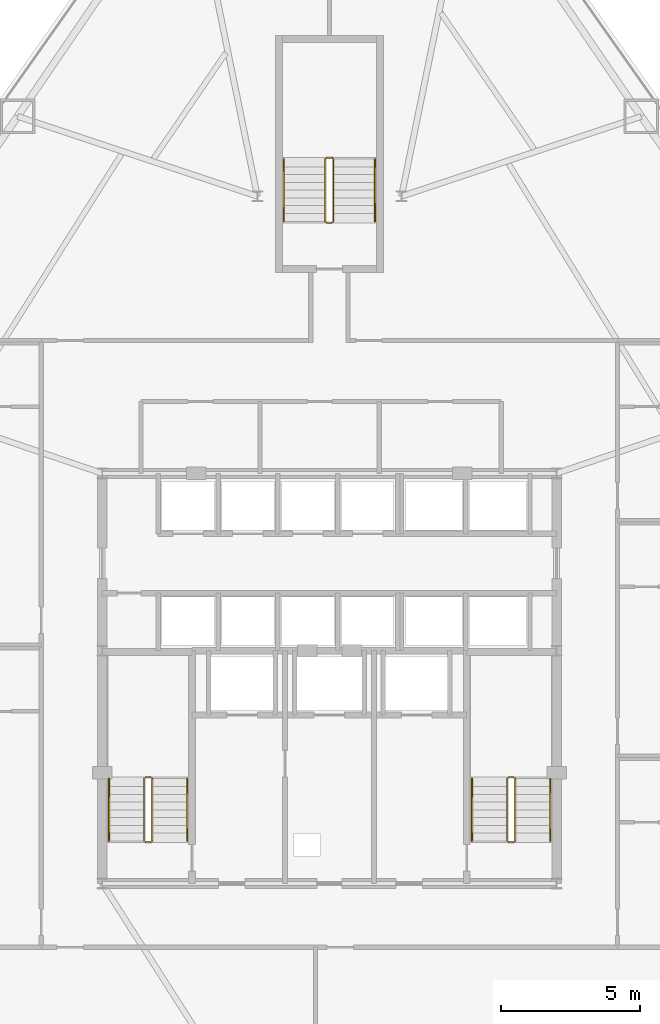
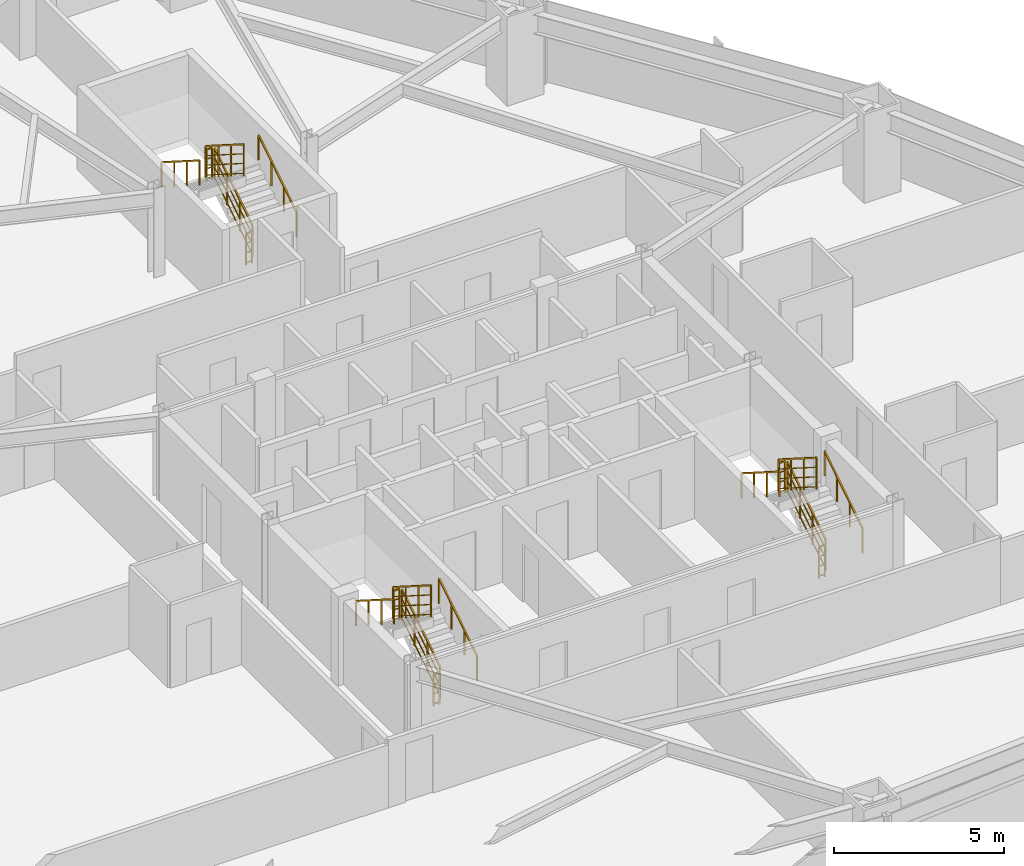
# One storey, part 12 of 12: 18 railings.
"""IFC4 building model written with IfcOpenShell, lengths in metres."""

import ifcopenshell
import ifcopenshell.guid

model = None  # the IFC model being written
_history = None  # IfcOwnerHistory: only IFC2X3 demands one
_inside = {}  # id of a spatial element -> (the spatial element, [elements in it])
_under = {}  # id of a project, library or spatial element -> (it, [spatial elements below it])
_declared = {}  # id of a project -> (the project, [libraries it declares])
_typed = {}  # id of a type object -> (the type object, [elements of that type])
_made_of = {}  # id of a material, layer set ... -> (it, [elements and type objects made of it])


def new_model(schema):
    """Start an empty IFC model of exactly this schema.

    Asked for "IFC4X3", IfcOpenShell would pick the latest addendum, in which some entities
    have other attributes; the version numbers below select the first issue.
    IFC2X3 requires an IfcOwnerHistory on every rooted entity: one is made here for all.
    """
    global model, _history
    if schema == "IFC4X3":
        model = ifcopenshell.file(schema_version=(4, 3, 0, 0))
    else:
        model = ifcopenshell.file(schema=schema)
    _inside.clear()
    _under.clear()
    _declared.clear()
    _typed.clear()
    _made_of.clear()
    _history = None
    if model.schema == "IFC2X3":
        org = make("IfcOrganization", Name="unknown")
        user = make(
            "IfcPersonAndOrganization",
            ThePerson=make("IfcPerson", FamilyName="unknown"),
            TheOrganization=org,
        )
        app = make(
            "IfcApplication",
            ApplicationDeveloper=org,
            Version="unknown",
            ApplicationFullName="unknown",
            ApplicationIdentifier="unknown",
        )
        _history = make(
            "IfcOwnerHistory",
            OwningUser=user,
            OwningApplication=app,
            ChangeAction="ADDED",
            CreationDate=0,
        )
    return model


def make(cls, **values):
    """One entity of the class cls with the attributes given. An attribute that is None is left unset."""
    return model.create_entity(
        cls, **{name: value for name, value in values.items() if value is not None}
    )


def rooted(cls, **values):
    """An entity with a GlobalId (a new one), such as an element, a storey or a relation."""
    return make(cls, GlobalId=ifcopenshell.guid.new(), OwnerHistory=_history, **values)


def si_unit(unit_type, name, prefix=None):
    """IfcSIUnit, for example si_unit("LENGTHUNIT", "METRE", prefix="MILLI")."""
    return make("IfcSIUnit", UnitType=unit_type, Prefix=prefix, Name=name)


def assignment(units):
    """IfcUnitAssignment: the units of a project."""
    return None if units is None else make("IfcUnitAssignment", Units=units)


def point(xyz):
    """IfcCartesianPoint."""
    return None if xyz is None else make("IfcCartesianPoint", Coordinates=xyz)


def direction(xyz):
    """IfcDirection."""
    return None if xyz is None else make("IfcDirection", DirectionRatios=xyz)


def frame(location, z_axis=None, x_axis=None):
    """IfcAxis2Placement3D, a coordinate frame: its origin and axes. An axis left out is left unset."""
    return make(
        "IfcAxis2Placement3D",
        Location=point(location),
        Axis=direction(z_axis),
        RefDirection=direction(x_axis),
    )


def frame_2d(location, x_axis=None):
    """IfcAxis2Placement2D, a coordinate frame in the plane: its origin and x axis."""
    return make(
        "IfcAxis2Placement2D", Location=point(location), RefDirection=direction(x_axis)
    )


def origin():
    """The frame at (0, 0, 0) with its axes left unset."""
    return frame((0.0, 0.0, 0.0))


def origin_2d():
    """The frame at (0, 0) in the plane with its x axis left unset."""
    return frame_2d((0.0, 0.0))


def place(relative_to, where):
    """IfcLocalPlacement: puts the frame where relative to a parent placement (None: the world)."""
    return make(
        "IfcLocalPlacement", PlacementRelTo=relative_to, RelativePlacement=where
    )


def context(
    kind, dimensions, precision=None, world=None, true_north=None, identifier=None
):
    """IfcGeometricRepresentationContext, for example the 3D "Model" context."""
    return make(
        "IfcGeometricRepresentationContext",
        ContextIdentifier=identifier,
        ContextType=kind,
        CoordinateSpaceDimension=dimensions,
        Precision=precision,
        WorldCoordinateSystem=world,
        TrueNorth=true_north,
    )


def subcontext(parent, identifier, kind, view, scale=None):
    """IfcGeometricRepresentationSubContext, for example "Body" below "Model"."""
    return make(
        "IfcGeometricRepresentationSubContext",
        ContextIdentifier=identifier,
        ContextType=kind,
        ParentContext=parent,
        TargetScale=scale,
        TargetView=view,
    )


def project(units=None, contexts=None):
    """IfcProject with its units and contexts."""
    return rooted(
        "IfcProject",
        Name="project",
        RepresentationContexts=contexts,
        UnitsInContext=assignment(units),
    )


def spatial(cls, under=None, at=None, **own):
    """A site, building, storey or space (cls), placed at a placement, below another one or the project."""
    s = rooted(cls, ObjectPlacement=at, **own)
    if under is not None:
        _under.setdefault(under.id(), (under, []))[1].append(s)
    return s


def profile(cls, at=None, kind="AREA", **sizes):
    """A parametric profile (cls). Its sizes go by their IFC names, for example OverallWidth=200.0."""
    return make(cls, ProfileType=kind, Position=at, **sizes)


def rectangle(**sizes):
    """IfcRectangleProfileDef."""
    return profile("IfcRectangleProfileDef", **sizes)


def extrude(swept, where, along, depth):
    """IfcExtrudedAreaSolid: the profile swept, set in the frame where, extruded along a direction by depth."""
    return make(
        "IfcExtrudedAreaSolid",
        SweptArea=swept,
        Position=where,
        ExtrudedDirection=direction(along),
        Depth=depth,
    )


def shape(context_of_items, identifier, shape_type, items):
    """IfcShapeRepresentation: the items that make up one representation, for example the "Body"."""
    return make(
        "IfcShapeRepresentation",
        ContextOfItems=context_of_items,
        RepresentationIdentifier=identifier,
        RepresentationType=shape_type,
        Items=items,
    )


def material(Name=None, Category=None):
    """IfcMaterial."""
    return make("IfcMaterial", Name=Name, Category=Category)


def made_of(thing, what):
    """Note that an element or type object is made of a material, layer set ...; save() writes the relation."""
    if what is not None:
        _made_of.setdefault(what.id(), (what, []))[1].append(thing)
    return thing


def type_object(cls, material=None, **own):
    """A type object (cls), such as IfcWallType, which elements share."""
    return made_of(rooted(cls, **own), material)


def element(
    cls,
    number,
    at=None,
    inside=None,
    cuts=None,
    type_object=None,
    material=None,
    context=None,
    identifier="Body",
    shape_type=None,
    held_by="IfcProductDefinitionShape",
    body=None,
    shapes=None,
    **own,
):
    """One element of the class cls, such as IfcWall. Its Tag is "e" and its number.

    at: its placement. inside: the storey or other place that contains it. cuts: it is an
    opening in that element (IfcRelVoidsElement). A single representation is given by context,
    identifier, shape_type and body (its items); several are given by shapes. held_by: the class
    of the entity that holds the representations. save() writes the other relations.
    """
    e = rooted(cls, Tag="e%d" % number, ObjectPlacement=at, **own)
    if body is not None:
        shapes = [shape(context, identifier, shape_type, body)]
    if shapes is not None:
        e.Representation = make(held_by, Representations=shapes)
    if inside is not None:
        _inside.setdefault(inside.id(), (inside, []))[1].append(e)
    if cuts is not None:
        rooted(
            "IfcRelVoidsElement", RelatingBuildingElement=cuts, RelatedOpeningElement=e
        )
    if type_object is not None:
        _typed.setdefault(type_object.id(), (type_object, []))[1].append(e)
    return made_of(e, material)


def aggregate(whole, parts):
    """IfcRelAggregates: a whole, such as a stair, and the parts it consists of."""
    return rooted("IfcRelAggregates", RelatingObject=whole, RelatedObjects=parts)


def save(model, path):
    """Write the relations noted so far, then the file.

    IfcRelAggregates (storeys below a building ...), IfcRelContainedInSpatialStructure (elements
    in a storey), IfcRelDefinesByType, IfcRelAssociatesMaterial and IfcRelDeclares: one each for
    every whole, place, type object, material and project.
    """
    for whole, parts in _under.values():
        aggregate(whole, parts)
    for where, things in _inside.values():
        rooted(
            "IfcRelContainedInSpatialStructure",
            RelatedElements=things,
            RelatingStructure=where,
        )
    for kind, things in _typed.values():
        rooted("IfcRelDefinesByType", RelatedObjects=things, RelatingType=kind)
    for what, things in _made_of.values():
        rooted("IfcRelAssociatesMaterial", RelatedObjects=things, RelatingMaterial=what)
    for by, libraries in _declared.values():
        rooted("IfcRelDeclares", RelatingContext=by, RelatedDefinitions=libraries)
    model.write(path)


model = new_model("IFC4")

# Units and contexts
model_context = context("Model", 3, precision=1e-05, world=origin(), true_north=direction((0.0, 1.0)))
body_context = subcontext(model_context, "Body", "Model", "MODEL_VIEW")
ifc_project = project(units=[si_unit("LENGTHUNIT", "METRE"), si_unit("AREAUNIT", "SQUARE_METRE"), si_unit("VOLUMEUNIT", "CUBIC_METRE"), si_unit("PLANEANGLEUNIT", "RADIAN"), si_unit("MASSUNIT", "GRAM", prefix="KILO")], contexts=[model_context])

# Site, building, storey
site_placement = place(None, origin())
site = spatial("IfcSite", under=ifc_project, at=site_placement, CompositionType="ELEMENT")
building_placement = place(site_placement, origin())
building = spatial("IfcBuilding", under=site, at=building_placement, Name="Varakhsha Concourse Tower", CompositionType="ELEMENT")
storey_placement = place(building_placement, frame((0.0, 0.0, 40.0)))
storey = spatial("IfcBuildingStorey", under=building, at=storey_placement, Name="L10", CompositionType="ELEMENT", Elevation=40.0)

# Railings
ifc_material = material(Name="Brushed Austenitic Stainless Steel AISI 316", Category="steel")
railing_type_1 = type_object("IfcRailingType", Name="RL-STAIR-GUARD-1100", PredefinedType="GUARDRAIL", material=ifc_material)
railing_1_placement = place(storey_placement, frame((33.610107421875, 17.93994140625, 0.177734375)))
element("IfcRailing", 1, at=railing_1_placement, inside=storey, type_object=railing_type_1, Name="L10 ST1 stair guard 1", PredefinedType="GUARDRAIL", context=body_context, shape_type="SweptSolid", body=[
    extrude(rectangle(XDim=0.048095703125, YDim=0.048095703125, at=origin_2d()), frame((0.0, 0.0, 1.1259765625), z_axis=(0.0, 0.84418770128, 0.536047689118), x_axis=(-1.0, 0.0, 0.0)), (0.0, 0.0, 1.0), 2.6533203125),
    extrude(rectangle(XDim=0.028076171875, YDim=0.028076171875, at=origin_2d()), frame((0.0, 0.0, 0.080078125), z_axis=(0.0, 0.84418770128, 0.536047689118), x_axis=(-1.0, 0.0, 0.0)), (0.0, 0.0, 1.0), 2.6533203125),
    extrude(rectangle(XDim=0.028076171875, YDim=0.028076171875, at=origin_2d()), frame((0.0, 0.0, 0.43701171875), z_axis=(0.0, 0.84418770128, 0.536047689118), x_axis=(-1.0, 0.0, 0.0)), (0.0, 0.0, 1.0), 2.6533203125),
    extrude(rectangle(XDim=0.028076171875, YDim=0.028076171875, at=origin_2d()), frame((0.0, 0.0, 0.781982421875), z_axis=(0.0, 0.84418770128, 0.536047689118), x_axis=(-1.0, 0.0, 0.0)), (0.0, 0.0, 1.0), 2.6533203125),
    extrude(rectangle(XDim=0.0419921875, YDim=0.0419921875, at=origin_2d()), origin(), (0.0, 0.0, 1.0), 1.101806640625),
    extrude(rectangle(XDim=0.0419921875, YDim=0.0419921875, at=origin_2d()), frame((0.0, 0.74658203125, 0.47412109375)), (0.0, 0.0, 1.0), 1.101806640625),
    extrude(rectangle(XDim=0.0419921875, YDim=0.0419921875, at=origin_2d()), frame((0.0, 1.493408203125, 0.9482421875)), (0.0, 0.0, 1.0), 1.101806640625),
    extrude(rectangle(XDim=0.0419921875, YDim=0.0419921875, at=origin_2d()), frame((0.0, 2.239990234375, 1.42236328125)), (0.0, 0.0, 1.0), 1.101806640625),
])
railing_2_placement = place(storey_placement, frame((33.56005859375, 20.22998046875, 1.60009765625)))
element("IfcRailing", 2, at=railing_2_placement, inside=storey, type_object=railing_type_1, Name="L10 ST1 stair guard 2", PredefinedType="GUARDRAIL", context=body_context, shape_type="SweptSolid", body=[
    extrude(rectangle(XDim=0.048095703125, YDim=0.048095703125, at=origin_2d()), frame((0.0, 0.0, 1.1259765625), z_axis=(-1.0, 0.0, 0.0), x_axis=(0.0, -1.0, 0.0)), (0.0, 0.0, 1.0), 0.199951171875),
    extrude(rectangle(XDim=0.028076171875, YDim=0.028076171875, at=origin_2d()), frame((0.0, 0.0, 0.080078125), z_axis=(-1.0, 0.0, 0.0), x_axis=(0.0, -1.0, 0.0)), (0.0, 0.0, 1.0), 0.199951171875),
    extrude(rectangle(XDim=0.028076171875, YDim=0.028076171875, at=origin_2d()), frame((0.0, 0.0, 0.43701171875), z_axis=(-1.0, 0.0, 0.0), x_axis=(0.0, -1.0, 0.0)), (0.0, 0.0, 1.0), 0.199951171875),
    extrude(rectangle(XDim=0.028076171875, YDim=0.028076171875, at=origin_2d()), frame((0.0, 0.0, 0.781982421875), z_axis=(-1.0, 0.0, 0.0), x_axis=(0.0, -1.0, 0.0)), (0.0, 0.0, 1.0), 0.199951171875),
    extrude(rectangle(XDim=0.0419921875, YDim=0.0419921875, at=origin_2d()), origin(), (0.0, 0.0, 1.0), 1.101806640625),
    extrude(rectangle(XDim=0.0419921875, YDim=0.0419921875, at=origin_2d()), frame((-0.199951171875, 0.0, 0.0)), (0.0, 0.0, 1.0), 1.101806640625),
])
railing_3_placement = place(storey_placement, frame((33.31005859375, 20.179931640625, 1.77783203125)))
element("IfcRailing", 3, at=railing_3_placement, inside=storey, type_object=railing_type_1, Name="L10 ST1 stair guard 3", PredefinedType="GUARDRAIL", context=body_context, shape_type="SweptSolid", body=[
    extrude(rectangle(XDim=0.048095703125, YDim=0.048095703125, at=origin_2d()), frame((0.0, 0.0, 1.1259765625), z_axis=(0.0, -0.8442293374, 0.53598211339), x_axis=(1.0, 0.0, 0.0)), (0.0, 0.0, 1.0), 2.6533203125),
    extrude(rectangle(XDim=0.028076171875, YDim=0.028076171875, at=origin_2d()), frame((0.0, 0.0, 0.080078125), z_axis=(0.0, -0.8442293374, 0.53598211339), x_axis=(1.0, 0.0, 0.0)), (0.0, 0.0, 1.0), 2.6533203125),
    extrude(rectangle(XDim=0.028076171875, YDim=0.028076171875, at=origin_2d()), frame((0.0, 0.0, 0.43701171875), z_axis=(0.0, -0.8442293374, 0.53598211339), x_axis=(1.0, 0.0, 0.0)), (0.0, 0.0, 1.0), 2.6533203125),
    extrude(rectangle(XDim=0.028076171875, YDim=0.028076171875, at=origin_2d()), frame((0.0, 0.0, 0.781982421875), z_axis=(0.0, -0.8442293374, 0.53598211339), x_axis=(1.0, 0.0, 0.0)), (0.0, 0.0, 1.0), 2.6533203125),
    extrude(rectangle(XDim=0.0419921875, YDim=0.0419921875, at=origin_2d()), origin(), (0.0, 0.0, 1.0), 1.101806640625),
    extrude(rectangle(XDim=0.0419921875, YDim=0.0419921875, at=origin_2d()), frame((0.0, -0.74658203125, 0.47412109375)), (0.0, 0.0, 1.0), 1.101806640625),
    extrude(rectangle(XDim=0.0419921875, YDim=0.0419921875, at=origin_2d()), frame((0.0, -1.493408203125, 0.947998046875)), (0.0, 0.0, 1.0), 1.101806640625),
    extrude(rectangle(XDim=0.0419921875, YDim=0.0419921875, at=origin_2d()), frame((0.0, -2.239990234375, 1.422119140625)), (0.0, 0.0, 1.0), 1.101806640625),
])
railing_4_placement = place(storey_placement, frame((33.56005859375, 17.889892578125, 0.0)))
element("IfcRailing", 4, at=railing_4_placement, inside=storey, type_object=railing_type_1, Name="L10 ST1 stair guard 4", PredefinedType="GUARDRAIL", context=body_context, shape_type="SweptSolid", body=[
    extrude(rectangle(XDim=0.048095703125, YDim=0.048095703125, at=origin_2d()), frame((0.0, 0.0, 1.1259765625), z_axis=(-1.0, 0.0, 0.0), x_axis=(0.0, -1.0, 0.0)), (0.0, 0.0, 1.0), 0.199951171875),
    extrude(rectangle(XDim=0.028076171875, YDim=0.028076171875, at=origin_2d()), frame((0.0, 0.0, 0.080078125), z_axis=(-1.0, 0.0, 0.0), x_axis=(0.0, -1.0, 0.0)), (0.0, 0.0, 1.0), 0.199951171875),
    extrude(rectangle(XDim=0.028076171875, YDim=0.028076171875, at=origin_2d()), frame((0.0, 0.0, 0.43701171875), z_axis=(-1.0, 0.0, 0.0), x_axis=(0.0, -1.0, 0.0)), (0.0, 0.0, 1.0), 0.199951171875),
    extrude(rectangle(XDim=0.028076171875, YDim=0.028076171875, at=origin_2d()), frame((0.0, 0.0, 0.781982421875), z_axis=(-1.0, 0.0, 0.0), x_axis=(0.0, -1.0, 0.0)), (0.0, 0.0, 1.0), 0.199951171875),
    extrude(rectangle(XDim=0.0419921875, YDim=0.0419921875, at=origin_2d()), origin(), (0.0, 0.0, 1.0), 1.101806640625),
    extrude(rectangle(XDim=0.0419921875, YDim=0.0419921875, at=origin_2d()), frame((-0.199951171875, 0.0, 0.0)), (0.0, 0.0, 1.0), 1.101806640625),
])
railing_5_placement = place(storey_placement, frame((46.7099609375, 17.93994140625, 0.177734375)))
element("IfcRailing", 5, at=railing_5_placement, inside=storey, type_object=railing_type_1, Name="L10 ST2 stair guard 1", PredefinedType="GUARDRAIL", context=body_context, shape_type="SweptSolid", body=[
    extrude(rectangle(XDim=0.048095703125, YDim=0.048095703125, at=origin_2d()), frame((0.0, 0.0, 1.1259765625), z_axis=(0.0, 0.84418770128, 0.536047689118), x_axis=(-1.0, 0.0, 0.0)), (0.0, 0.0, 1.0), 2.6533203125),
    extrude(rectangle(XDim=0.028076171875, YDim=0.028076171875, at=origin_2d()), frame((0.0, 0.0, 0.080078125), z_axis=(0.0, 0.84418770128, 0.536047689118), x_axis=(-1.0, 0.0, 0.0)), (0.0, 0.0, 1.0), 2.6533203125),
    extrude(rectangle(XDim=0.028076171875, YDim=0.028076171875, at=origin_2d()), frame((0.0, 0.0, 0.43701171875), z_axis=(0.0, 0.84418770128, 0.536047689118), x_axis=(-1.0, 0.0, 0.0)), (0.0, 0.0, 1.0), 2.6533203125),
    extrude(rectangle(XDim=0.028076171875, YDim=0.028076171875, at=origin_2d()), frame((0.0, 0.0, 0.781982421875), z_axis=(0.0, 0.84418770128, 0.536047689118), x_axis=(-1.0, 0.0, 0.0)), (0.0, 0.0, 1.0), 2.6533203125),
    extrude(rectangle(XDim=0.0419921875, YDim=0.0419921875, at=origin_2d()), origin(), (0.0, 0.0, 1.0), 1.101806640625),
    extrude(rectangle(XDim=0.0419921875, YDim=0.0419921875, at=origin_2d()), frame((0.0, 0.74658203125, 0.47412109375)), (0.0, 0.0, 1.0), 1.101806640625),
    extrude(rectangle(XDim=0.0419921875, YDim=0.0419921875, at=origin_2d()), frame((0.0, 1.493408203125, 0.9482421875)), (0.0, 0.0, 1.0), 1.101806640625),
    extrude(rectangle(XDim=0.0419921875, YDim=0.0419921875, at=origin_2d()), frame((0.0, 2.239990234375, 1.42236328125)), (0.0, 0.0, 1.0), 1.101806640625),
])
railing_6_placement = place(storey_placement, frame((46.659912109375, 20.22998046875, 1.60009765625)))
element("IfcRailing", 6, at=railing_6_placement, inside=storey, type_object=railing_type_1, Name="L10 ST2 stair guard 2", PredefinedType="GUARDRAIL", context=body_context, shape_type="SweptSolid", body=[
    extrude(rectangle(XDim=0.048095703125, YDim=0.048095703125, at=origin_2d()), frame((0.0, 0.0, 1.1259765625), z_axis=(-1.0, 0.0, 0.0), x_axis=(0.0, -1.0, 0.0)), (0.0, 0.0, 1.0), 0.199951171875),
    extrude(rectangle(XDim=0.028076171875, YDim=0.028076171875, at=origin_2d()), frame((0.0, 0.0, 0.080078125), z_axis=(-1.0, 0.0, 0.0), x_axis=(0.0, -1.0, 0.0)), (0.0, 0.0, 1.0), 0.199951171875),
    extrude(rectangle(XDim=0.028076171875, YDim=0.028076171875, at=origin_2d()), frame((0.0, 0.0, 0.43701171875), z_axis=(-1.0, 0.0, 0.0), x_axis=(0.0, -1.0, 0.0)), (0.0, 0.0, 1.0), 0.199951171875),
    extrude(rectangle(XDim=0.028076171875, YDim=0.028076171875, at=origin_2d()), frame((0.0, 0.0, 0.781982421875), z_axis=(-1.0, 0.0, 0.0), x_axis=(0.0, -1.0, 0.0)), (0.0, 0.0, 1.0), 0.199951171875),
    extrude(rectangle(XDim=0.0419921875, YDim=0.0419921875, at=origin_2d()), origin(), (0.0, 0.0, 1.0), 1.101806640625),
    extrude(rectangle(XDim=0.0419921875, YDim=0.0419921875, at=origin_2d()), frame((-0.199951171875, 0.0, 0.0)), (0.0, 0.0, 1.0), 1.101806640625),
])
railing_7_placement = place(storey_placement, frame((46.409912109375, 20.179931640625, 1.77783203125)))
element("IfcRailing", 7, at=railing_7_placement, inside=storey, type_object=railing_type_1, Name="L10 ST2 stair guard 3", PredefinedType="GUARDRAIL", context=body_context, shape_type="SweptSolid", body=[
    extrude(rectangle(XDim=0.048095703125, YDim=0.048095703125, at=origin_2d()), frame((0.0, 0.0, 1.1259765625), z_axis=(0.0, -0.8442293374, 0.53598211339), x_axis=(1.0, 0.0, 0.0)), (0.0, 0.0, 1.0), 2.6533203125),
    extrude(rectangle(XDim=0.028076171875, YDim=0.028076171875, at=origin_2d()), frame((0.0, 0.0, 0.080078125), z_axis=(0.0, -0.8442293374, 0.53598211339), x_axis=(1.0, 0.0, 0.0)), (0.0, 0.0, 1.0), 2.6533203125),
    extrude(rectangle(XDim=0.028076171875, YDim=0.028076171875, at=origin_2d()), frame((0.0, 0.0, 0.43701171875), z_axis=(0.0, -0.8442293374, 0.53598211339), x_axis=(1.0, 0.0, 0.0)), (0.0, 0.0, 1.0), 2.6533203125),
    extrude(rectangle(XDim=0.028076171875, YDim=0.028076171875, at=origin_2d()), frame((0.0, 0.0, 0.781982421875), z_axis=(0.0, -0.8442293374, 0.53598211339), x_axis=(1.0, 0.0, 0.0)), (0.0, 0.0, 1.0), 2.6533203125),
    extrude(rectangle(XDim=0.0419921875, YDim=0.0419921875, at=origin_2d()), origin(), (0.0, 0.0, 1.0), 1.101806640625),
    extrude(rectangle(XDim=0.0419921875, YDim=0.0419921875, at=origin_2d()), frame((0.0, -0.74658203125, 0.47412109375)), (0.0, 0.0, 1.0), 1.101806640625),
    extrude(rectangle(XDim=0.0419921875, YDim=0.0419921875, at=origin_2d()), frame((0.0, -1.493408203125, 0.947998046875)), (0.0, 0.0, 1.0), 1.101806640625),
    extrude(rectangle(XDim=0.0419921875, YDim=0.0419921875, at=origin_2d()), frame((0.0, -2.239990234375, 1.422119140625)), (0.0, 0.0, 1.0), 1.101806640625),
])
railing_8_placement = place(storey_placement, frame((46.659912109375, 17.889892578125, 0.0)))
element("IfcRailing", 8, at=railing_8_placement, inside=storey, type_object=railing_type_1, Name="L10 ST2 stair guard 4", PredefinedType="GUARDRAIL", context=body_context, shape_type="SweptSolid", body=[
    extrude(rectangle(XDim=0.048095703125, YDim=0.048095703125, at=origin_2d()), frame((0.0, 0.0, 1.1259765625), z_axis=(-1.0, 0.0, 0.0), x_axis=(0.0, -1.0, 0.0)), (0.0, 0.0, 1.0), 0.199951171875),
    extrude(rectangle(XDim=0.028076171875, YDim=0.028076171875, at=origin_2d()), frame((0.0, 0.0, 0.080078125), z_axis=(-1.0, 0.0, 0.0), x_axis=(0.0, -1.0, 0.0)), (0.0, 0.0, 1.0), 0.199951171875),
    extrude(rectangle(XDim=0.028076171875, YDim=0.028076171875, at=origin_2d()), frame((0.0, 0.0, 0.43701171875), z_axis=(-1.0, 0.0, 0.0), x_axis=(0.0, -1.0, 0.0)), (0.0, 0.0, 1.0), 0.199951171875),
    extrude(rectangle(XDim=0.028076171875, YDim=0.028076171875, at=origin_2d()), frame((0.0, 0.0, 0.781982421875), z_axis=(-1.0, 0.0, 0.0), x_axis=(0.0, -1.0, 0.0)), (0.0, 0.0, 1.0), 0.199951171875),
    extrude(rectangle(XDim=0.0419921875, YDim=0.0419921875, at=origin_2d()), origin(), (0.0, 0.0, 1.0), 1.101806640625),
    extrude(rectangle(XDim=0.0419921875, YDim=0.0419921875, at=origin_2d()), frame((-0.199951171875, 0.0, 0.0)), (0.0, 0.0, 1.0), 1.101806640625),
])
railing_9_placement = place(storey_placement, frame((40.14990234375, 40.300048828125, 0.177734375)))
element("IfcRailing", 9, at=railing_9_placement, inside=storey, type_object=railing_type_1, Name="L10 ST5 stair guard 1", PredefinedType="GUARDRAIL", context=body_context, shape_type="SweptSolid", body=[
    extrude(rectangle(XDim=0.048095703125, YDim=0.048095703125, at=origin_2d()), frame((0.0, 0.0, 1.1259765625), z_axis=(0.0, 0.84418770128, 0.536047689118), x_axis=(-1.0, 0.0, 0.0)), (0.0, 0.0, 1.0), 2.6533203125),
    extrude(rectangle(XDim=0.028076171875, YDim=0.028076171875, at=origin_2d()), frame((0.0, 0.0, 0.080078125), z_axis=(0.0, 0.84418770128, 0.536047689118), x_axis=(-1.0, 0.0, 0.0)), (0.0, 0.0, 1.0), 2.6533203125),
    extrude(rectangle(XDim=0.028076171875, YDim=0.028076171875, at=origin_2d()), frame((0.0, 0.0, 0.43701171875), z_axis=(0.0, 0.84418770128, 0.536047689118), x_axis=(-1.0, 0.0, 0.0)), (0.0, 0.0, 1.0), 2.6533203125),
    extrude(rectangle(XDim=0.028076171875, YDim=0.028076171875, at=origin_2d()), frame((0.0, 0.0, 0.781982421875), z_axis=(0.0, 0.84418770128, 0.536047689118), x_axis=(-1.0, 0.0, 0.0)), (0.0, 0.0, 1.0), 2.6533203125),
    extrude(rectangle(XDim=0.0419921875, YDim=0.0419921875, at=origin_2d()), origin(), (0.0, 0.0, 1.0), 1.101806640625),
    extrude(rectangle(XDim=0.0419921875, YDim=0.0419921875, at=origin_2d()), frame((0.0, 0.74658203125, 0.47412109375)), (0.0, 0.0, 1.0), 1.101806640625),
    extrude(rectangle(XDim=0.0419921875, YDim=0.0419921875, at=origin_2d()), frame((0.0, 1.493408203125, 0.9482421875)), (0.0, 0.0, 1.0), 1.101806640625),
    extrude(rectangle(XDim=0.0419921875, YDim=0.0419921875, at=origin_2d()), frame((0.0, 2.239990234375, 1.42236328125)), (0.0, 0.0, 1.0), 1.101806640625),
])
railing_10_placement = place(storey_placement, frame((40.10009765625, 42.590087890625, 1.60009765625)))
element("IfcRailing", 10, at=railing_10_placement, inside=storey, type_object=railing_type_1, Name="L10 ST5 stair guard 2", PredefinedType="GUARDRAIL", context=body_context, shape_type="SweptSolid", body=[
    extrude(rectangle(XDim=0.048095703125, YDim=0.048095703125, at=origin_2d()), frame((0.0, 0.0, 1.1259765625), z_axis=(-1.0, 0.0, 0.0), x_axis=(0.0, -1.0, 0.0)), (0.0, 0.0, 1.0), 0.2001953125),
    extrude(rectangle(XDim=0.028076171875, YDim=0.028076171875, at=origin_2d()), frame((0.0, 0.0, 0.080078125), z_axis=(-1.0, 0.0, 0.0), x_axis=(0.0, -1.0, 0.0)), (0.0, 0.0, 1.0), 0.2001953125),
    extrude(rectangle(XDim=0.028076171875, YDim=0.028076171875, at=origin_2d()), frame((0.0, 0.0, 0.43701171875), z_axis=(-1.0, 0.0, 0.0), x_axis=(0.0, -1.0, 0.0)), (0.0, 0.0, 1.0), 0.2001953125),
    extrude(rectangle(XDim=0.028076171875, YDim=0.028076171875, at=origin_2d()), frame((0.0, 0.0, 0.781982421875), z_axis=(-1.0, 0.0, 0.0), x_axis=(0.0, -1.0, 0.0)), (0.0, 0.0, 1.0), 0.2001953125),
    extrude(rectangle(XDim=0.0419921875, YDim=0.0419921875, at=origin_2d()), origin(), (0.0, 0.0, 1.0), 1.101806640625),
    extrude(rectangle(XDim=0.0419921875, YDim=0.0419921875, at=origin_2d()), frame((-0.2001953125, 0.0, 0.0)), (0.0, 0.0, 1.0), 1.101806640625),
])
railing_11_placement = place(storey_placement, frame((39.85009765625, 42.5400390625, 1.77783203125)))
element("IfcRailing", 11, at=railing_11_placement, inside=storey, type_object=railing_type_1, Name="L10 ST5 stair guard 3", PredefinedType="GUARDRAIL", context=body_context, shape_type="SweptSolid", body=[
    extrude(rectangle(XDim=0.048095703125, YDim=0.048095703125, at=origin_2d()), frame((0.0, 0.0, 1.1259765625), z_axis=(0.0, -0.8442293374, 0.53598211339), x_axis=(1.0, 0.0, 0.0)), (0.0, 0.0, 1.0), 2.6533203125),
    extrude(rectangle(XDim=0.028076171875, YDim=0.028076171875, at=origin_2d()), frame((0.0, 0.0, 0.080078125), z_axis=(0.0, -0.8442293374, 0.53598211339), x_axis=(1.0, 0.0, 0.0)), (0.0, 0.0, 1.0), 2.6533203125),
    extrude(rectangle(XDim=0.028076171875, YDim=0.028076171875, at=origin_2d()), frame((0.0, 0.0, 0.43701171875), z_axis=(0.0, -0.8442293374, 0.53598211339), x_axis=(1.0, 0.0, 0.0)), (0.0, 0.0, 1.0), 2.6533203125),
    extrude(rectangle(XDim=0.028076171875, YDim=0.028076171875, at=origin_2d()), frame((0.0, 0.0, 0.781982421875), z_axis=(0.0, -0.8442293374, 0.53598211339), x_axis=(1.0, 0.0, 0.0)), (0.0, 0.0, 1.0), 2.6533203125),
    extrude(rectangle(XDim=0.0419921875, YDim=0.0419921875, at=origin_2d()), origin(), (0.0, 0.0, 1.0), 1.101806640625),
    extrude(rectangle(XDim=0.0419921875, YDim=0.0419921875, at=origin_2d()), frame((0.0, -0.74658203125, 0.47412109375)), (0.0, 0.0, 1.0), 1.101806640625),
    extrude(rectangle(XDim=0.0419921875, YDim=0.0419921875, at=origin_2d()), frame((0.0, -1.493408203125, 0.947998046875)), (0.0, 0.0, 1.0), 1.101806640625),
    extrude(rectangle(XDim=0.0419921875, YDim=0.0419921875, at=origin_2d()), frame((0.0, -2.239990234375, 1.422119140625)), (0.0, 0.0, 1.0), 1.101806640625),
])
railing_12_placement = place(storey_placement, frame((40.10009765625, 40.25, 0.0)))
element("IfcRailing", 12, at=railing_12_placement, inside=storey, type_object=railing_type_1, Name="L10 ST5 stair guard 4", PredefinedType="GUARDRAIL", context=body_context, shape_type="SweptSolid", body=[
    extrude(rectangle(XDim=0.048095703125, YDim=0.048095703125, at=origin_2d()), frame((0.0, 0.0, 1.1259765625), z_axis=(-1.0, 0.0, 0.0), x_axis=(0.0, -1.0, 0.0)), (0.0, 0.0, 1.0), 0.2001953125),
    extrude(rectangle(XDim=0.028076171875, YDim=0.028076171875, at=origin_2d()), frame((0.0, 0.0, 0.080078125), z_axis=(-1.0, 0.0, 0.0), x_axis=(0.0, -1.0, 0.0)), (0.0, 0.0, 1.0), 0.2001953125),
    extrude(rectangle(XDim=0.028076171875, YDim=0.028076171875, at=origin_2d()), frame((0.0, 0.0, 0.43701171875), z_axis=(-1.0, 0.0, 0.0), x_axis=(0.0, -1.0, 0.0)), (0.0, 0.0, 1.0), 0.2001953125),
    extrude(rectangle(XDim=0.028076171875, YDim=0.028076171875, at=origin_2d()), frame((0.0, 0.0, 0.781982421875), z_axis=(-1.0, 0.0, 0.0), x_axis=(0.0, -1.0, 0.0)), (0.0, 0.0, 1.0), 0.2001953125),
    extrude(rectangle(XDim=0.0419921875, YDim=0.0419921875, at=origin_2d()), origin(), (0.0, 0.0, 1.0), 1.101806640625),
    extrude(rectangle(XDim=0.0419921875, YDim=0.0419921875, at=origin_2d()), frame((-0.2001953125, 0.0, 0.0)), (0.0, 0.0, 1.0), 1.101806640625),
])
railing_type_2 = type_object("IfcRailingType", Name="RL-STAIR-RAIL-915", PredefinedType="HANDRAIL", material=ifc_material)
railing_13_placement = place(storey_placement, frame((34.8701171875, 17.93994140625, 0.35546875)))
element("IfcRailing", 13, at=railing_13_placement, inside=storey, type_object=railing_type_2, Name="L10 ST1 stair handrail 1", PredefinedType="HANDRAIL", context=body_context, shape_type="SweptSolid", body=[
    extrude(rectangle(XDim=0.048095703125, YDim=0.048095703125, at=origin_2d()), frame((0.0, 0.0, 0.89111328125), z_axis=(0.0, 0.84418770128, 0.536047689118), x_axis=(-1.0, 0.0, 0.0)), (0.0, 0.0, 1.0), 2.6533203125),
    extrude(rectangle(XDim=0.0419921875, YDim=0.0419921875, at=origin_2d()), origin(), (0.0, 0.0, 1.0), 0.866943359375),
    extrude(rectangle(XDim=0.0419921875, YDim=0.0419921875, at=origin_2d()), frame((0.0, 0.74658203125, 0.47412109375)), (0.0, 0.0, 1.0), 0.866943359375),
    extrude(rectangle(XDim=0.0419921875, YDim=0.0419921875, at=origin_2d()), frame((0.0, 1.493408203125, 0.9482421875)), (0.0, 0.0, 1.0), 0.866943359375),
    extrude(rectangle(XDim=0.0419921875, YDim=0.0419921875, at=origin_2d()), frame((0.0, 2.239990234375, 1.42236328125)), (0.0, 0.0, 1.0), 0.866943359375),
])
railing_14_placement = place(storey_placement, frame((32.050048828125, 20.179931640625, 1.95556640625)))
element("IfcRailing", 14, at=railing_14_placement, inside=storey, type_object=railing_type_2, Name="L10 ST1 stair handrail 2", PredefinedType="HANDRAIL", context=body_context, shape_type="SweptSolid", body=[
    extrude(rectangle(XDim=0.048095703125, YDim=0.048095703125, at=origin_2d()), frame((0.0, 0.0, 0.89111328125), z_axis=(0.0, -0.8442293374, 0.53598211339), x_axis=(1.0, 0.0, 0.0)), (0.0, 0.0, 1.0), 2.6533203125),
    extrude(rectangle(XDim=0.0419921875, YDim=0.0419921875, at=origin_2d()), origin(), (0.0, 0.0, 1.0), 0.866943359375),
    extrude(rectangle(XDim=0.0419921875, YDim=0.0419921875, at=origin_2d()), frame((0.0, -0.74658203125, 0.47412109375)), (0.0, 0.0, 1.0), 0.866943359375),
    extrude(rectangle(XDim=0.0419921875, YDim=0.0419921875, at=origin_2d()), frame((0.0, -1.493408203125, 0.947998046875)), (0.0, 0.0, 1.0), 0.866943359375),
    extrude(rectangle(XDim=0.0419921875, YDim=0.0419921875, at=origin_2d()), frame((0.0, -2.239990234375, 1.422119140625)), (0.0, 0.0, 1.0), 0.866943359375),
])
railing_15_placement = place(storey_placement, frame((47.969970703125, 17.93994140625, 0.35546875)))
element("IfcRailing", 15, at=railing_15_placement, inside=storey, type_object=railing_type_2, Name="L10 ST2 stair handrail 1", PredefinedType="HANDRAIL", context=body_context, shape_type="SweptSolid", body=[
    extrude(rectangle(XDim=0.048095703125, YDim=0.048095703125, at=origin_2d()), frame((0.0, 0.0, 0.89111328125), z_axis=(0.0, 0.84418770128, 0.536047689118), x_axis=(-1.0, 0.0, 0.0)), (0.0, 0.0, 1.0), 2.6533203125),
    extrude(rectangle(XDim=0.0419921875, YDim=0.0419921875, at=origin_2d()), origin(), (0.0, 0.0, 1.0), 0.866943359375),
    extrude(rectangle(XDim=0.0419921875, YDim=0.0419921875, at=origin_2d()), frame((0.0, 0.74658203125, 0.47412109375)), (0.0, 0.0, 1.0), 0.866943359375),
    extrude(rectangle(XDim=0.0419921875, YDim=0.0419921875, at=origin_2d()), frame((0.0, 1.493408203125, 0.9482421875)), (0.0, 0.0, 1.0), 0.866943359375),
    extrude(rectangle(XDim=0.0419921875, YDim=0.0419921875, at=origin_2d()), frame((0.0, 2.239990234375, 1.42236328125)), (0.0, 0.0, 1.0), 0.866943359375),
])
railing_16_placement = place(storey_placement, frame((45.14990234375, 20.179931640625, 1.95556640625)))
element("IfcRailing", 16, at=railing_16_placement, inside=storey, type_object=railing_type_2, Name="L10 ST2 stair handrail 2", PredefinedType="HANDRAIL", context=body_context, shape_type="SweptSolid", body=[
    extrude(rectangle(XDim=0.048095703125, YDim=0.048095703125, at=origin_2d()), frame((0.0, 0.0, 0.89111328125), z_axis=(0.0, -0.8442293374, 0.53598211339), x_axis=(1.0, 0.0, 0.0)), (0.0, 0.0, 1.0), 2.6533203125),
    extrude(rectangle(XDim=0.0419921875, YDim=0.0419921875, at=origin_2d()), origin(), (0.0, 0.0, 1.0), 0.866943359375),
    extrude(rectangle(XDim=0.0419921875, YDim=0.0419921875, at=origin_2d()), frame((0.0, -0.74658203125, 0.47412109375)), (0.0, 0.0, 1.0), 0.866943359375),
    extrude(rectangle(XDim=0.0419921875, YDim=0.0419921875, at=origin_2d()), frame((0.0, -1.493408203125, 0.947998046875)), (0.0, 0.0, 1.0), 0.866943359375),
    extrude(rectangle(XDim=0.0419921875, YDim=0.0419921875, at=origin_2d()), frame((0.0, -2.239990234375, 1.422119140625)), (0.0, 0.0, 1.0), 0.866943359375),
])
railing_17_placement = place(storey_placement, frame((41.64990234375, 40.300048828125, 0.35546875)))
element("IfcRailing", 17, at=railing_17_placement, inside=storey, type_object=railing_type_2, Name="L10 ST5 stair handrail 1", PredefinedType="HANDRAIL", context=body_context, shape_type="SweptSolid", body=[
    extrude(rectangle(XDim=0.048095703125, YDim=0.048095703125, at=origin_2d()), frame((0.0, 0.0, 0.89111328125), z_axis=(0.0, 0.84418770128, 0.536047689118), x_axis=(-1.0, 0.0, 0.0)), (0.0, 0.0, 1.0), 2.6533203125),
    extrude(rectangle(XDim=0.0419921875, YDim=0.0419921875, at=origin_2d()), origin(), (0.0, 0.0, 1.0), 0.866943359375),
    extrude(rectangle(XDim=0.0419921875, YDim=0.0419921875, at=origin_2d()), frame((0.0, 0.74658203125, 0.47412109375)), (0.0, 0.0, 1.0), 0.866943359375),
    extrude(rectangle(XDim=0.0419921875, YDim=0.0419921875, at=origin_2d()), frame((0.0, 1.493408203125, 0.9482421875)), (0.0, 0.0, 1.0), 0.866943359375),
    extrude(rectangle(XDim=0.0419921875, YDim=0.0419921875, at=origin_2d()), frame((0.0, 2.239990234375, 1.42236328125)), (0.0, 0.0, 1.0), 0.866943359375),
])
railing_18_placement = place(storey_placement, frame((38.35009765625, 42.5400390625, 1.95556640625)))
element("IfcRailing", 18, at=railing_18_placement, inside=storey, type_object=railing_type_2, Name="L10 ST5 stair handrail 2", PredefinedType="HANDRAIL", context=body_context, shape_type="SweptSolid", body=[
    extrude(rectangle(XDim=0.048095703125, YDim=0.048095703125, at=origin_2d()), frame((0.0, 0.0, 0.89111328125), z_axis=(0.0, -0.8442293374, 0.53598211339), x_axis=(1.0, 0.0, 0.0)), (0.0, 0.0, 1.0), 2.6533203125),
    extrude(rectangle(XDim=0.0419921875, YDim=0.0419921875, at=origin_2d()), origin(), (0.0, 0.0, 1.0), 0.866943359375),
    extrude(rectangle(XDim=0.0419921875, YDim=0.0419921875, at=origin_2d()), frame((0.0, -0.74658203125, 0.47412109375)), (0.0, 0.0, 1.0), 0.866943359375),
    extrude(rectangle(XDim=0.0419921875, YDim=0.0419921875, at=origin_2d()), frame((0.0, -1.493408203125, 0.947998046875)), (0.0, 0.0, 1.0), 0.866943359375),
    extrude(rectangle(XDim=0.0419921875, YDim=0.0419921875, at=origin_2d()), frame((0.0, -2.239990234375, 1.422119140625)), (0.0, 0.0, 1.0), 0.866943359375),
])

save(model, "model.ifc")
